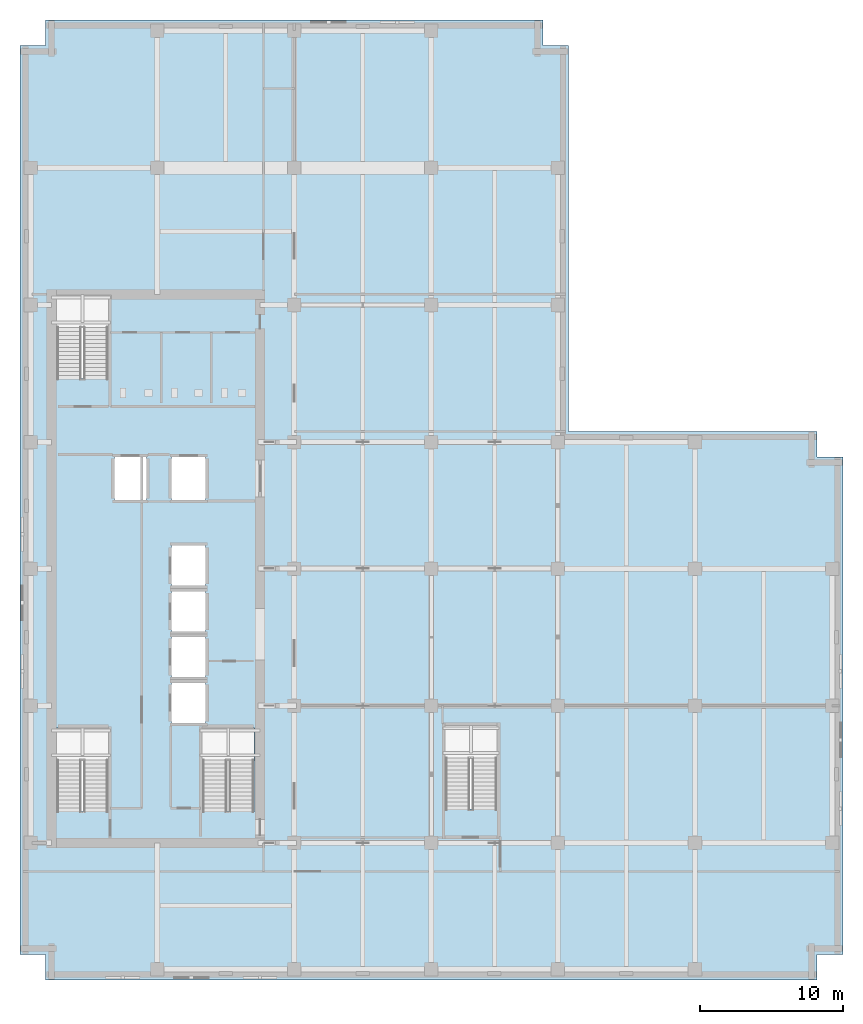
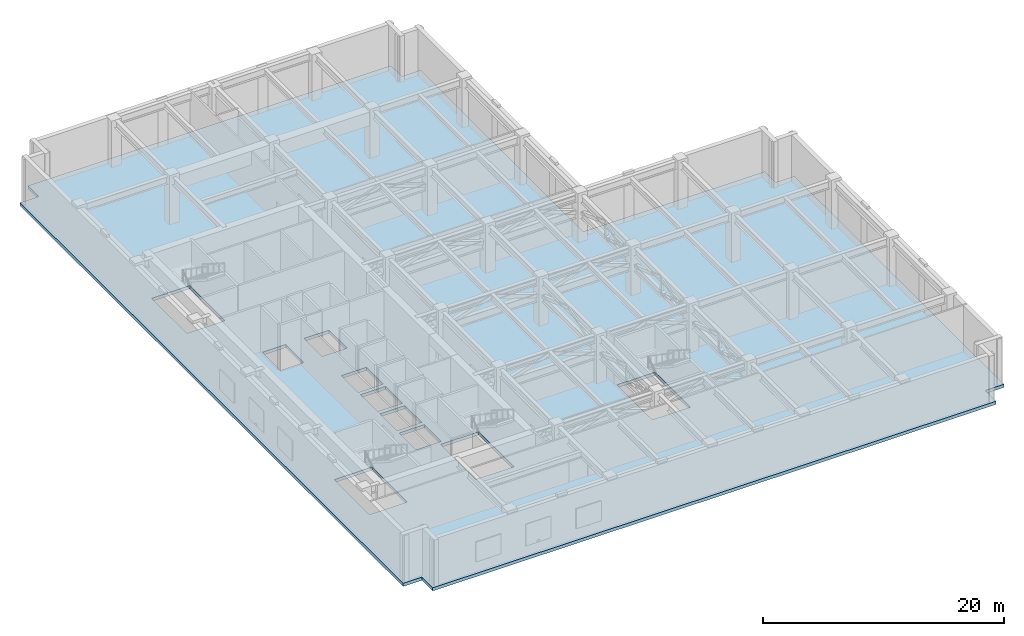
# One storey, part 10 of 21: 1 slab.
"""IFC4 building model written with IfcOpenShell, lengths in metres."""

from ifc_helpers import new_model, si_unit, direction, frame, origin, place, context, subcontext, project, spatial, polyline, outline, extrude, material, layer, layer_set, type_object, element, save


model = new_model("IFC4")

# Units and contexts
model_context = context("Model", 3, precision=1e-05, world=origin(), true_north=direction((0.0, 1.0)))
body_context = subcontext(model_context, "Body", "Model", "MODEL_VIEW")
ifc_project = project(units=[si_unit("LENGTHUNIT", "METRE"), si_unit("AREAUNIT", "SQUARE_METRE"), si_unit("VOLUMEUNIT", "CUBIC_METRE"), si_unit("PLANEANGLEUNIT", "RADIAN"), si_unit("MASSUNIT", "GRAM", prefix="KILO")], contexts=[model_context])

# Site, building, storey
site_placement = place(None, origin())
site = spatial("IfcSite", under=ifc_project, at=site_placement, CompositionType="ELEMENT")
building_placement = place(site_placement, origin())
building = spatial("IfcBuilding", under=site, at=building_placement, Name="Norrvale University Quadrangle", CompositionType="ELEMENT")
storey_placement = place(building_placement, frame((0.0, 0.0, 194.0)))
storey = spatial("IfcBuildingStorey", under=building, at=storey_placement, Name="L49", CompositionType="ELEMENT", Elevation=194.0)

# Slab
ifc_material = material(Name="Concrete C40/50", Category="concrete")
ifc_layer = layer(ifc_material, 0.320068359375, Name="Concrete C40/50")
ifc_layer_set = layer_set([ifc_layer], Name="Concrete C40/50")
slab_type = type_object("IfcSlabType", Name="Slab Plant 320", PredefinedType="FLOOR", material=ifc_layer_set)
slab_placement = place(storey_placement, frame((0.0, 0.0, -0.320068359375)))
element("IfcSlab", 1, at=slab_placement, inside=storey, type_object=slab_type, Name="Tower L49 Floor Slab", PredefinedType="FLOOR", context=body_context, shape_type="SweptSolid", body=[
    extrude(outline(polyline([(1.800048828125, 0.0), (55.800048828125, 0.0), (55.800048828125, 1.800048828125), (57.60009765625, 1.800048828125), (57.60009765625, 36.60009765625), (55.800048828125, 36.60009765625), (55.800048828125, 38.39990234375), (38.39990234375, 38.39990234375), (38.39990234375, 65.39990234375), (36.60009765625, 65.39990234375), (36.60009765625, 67.199951171875), (1.800048828125, 67.199951171875), (1.800048828125, 65.39990234375), (0.0, 65.39990234375), (0.0, 1.800048828125), (1.800048828125, 1.800048828125), (1.800048828125, 0.0)]), holes=[polyline([(2.550048828125, 11.81005859375), (6.199951171875, 11.81005859375), (6.199951171875, 17.64990234375), (2.550048828125, 17.64990234375), (2.550048828125, 11.81005859375)]), polyline([(2.550048828125, 42.110107421875), (6.199951171875, 42.110107421875), (6.199951171875, 47.949951171875), (2.550048828125, 47.949951171875), (2.550048828125, 42.110107421875)]), polyline([(12.75, 11.81005859375), (16.39990234375, 11.81005859375), (16.39990234375, 17.64990234375), (12.75, 17.64990234375), (12.75, 11.81005859375)]), polyline([(29.75, 11.9599609375), (33.39990234375, 11.9599609375), (33.39990234375, 17.800048828125), (29.75, 17.800048828125), (29.75, 11.9599609375)]), polyline([(10.60009765625, 18.0), (13.0, 18.0), (13.0, 20.800048828125), (10.60009765625, 20.800048828125), (10.60009765625, 18.0)]), polyline([(10.60009765625, 21.199951171875), (13.0, 21.199951171875), (13.0, 24.0), (10.60009765625, 24.0), (10.60009765625, 21.199951171875)]), polyline([(10.60009765625, 24.39990234375), (13.0, 24.39990234375), (13.0, 27.199951171875), (10.60009765625, 27.199951171875), (10.60009765625, 24.39990234375)]), polyline([(10.60009765625, 27.60009765625), (13.0, 27.60009765625), (13.0, 30.39990234375), (10.60009765625, 30.39990234375), (10.60009765625, 27.60009765625)]), polyline([(6.60009765625, 33.60009765625), (8.85009765625, 33.60009765625), (8.85009765625, 36.60009765625), (6.60009765625, 36.60009765625), (6.60009765625, 33.60009765625)]), polyline([(10.60009765625, 33.60009765625), (13.0, 33.60009765625), (13.0, 36.60009765625), (10.60009765625, 36.60009765625), (10.60009765625, 33.60009765625)])]), origin(), (0.0, 0.0, 1.0), 0.320068359375),
])

save(model, "model.ifc")
